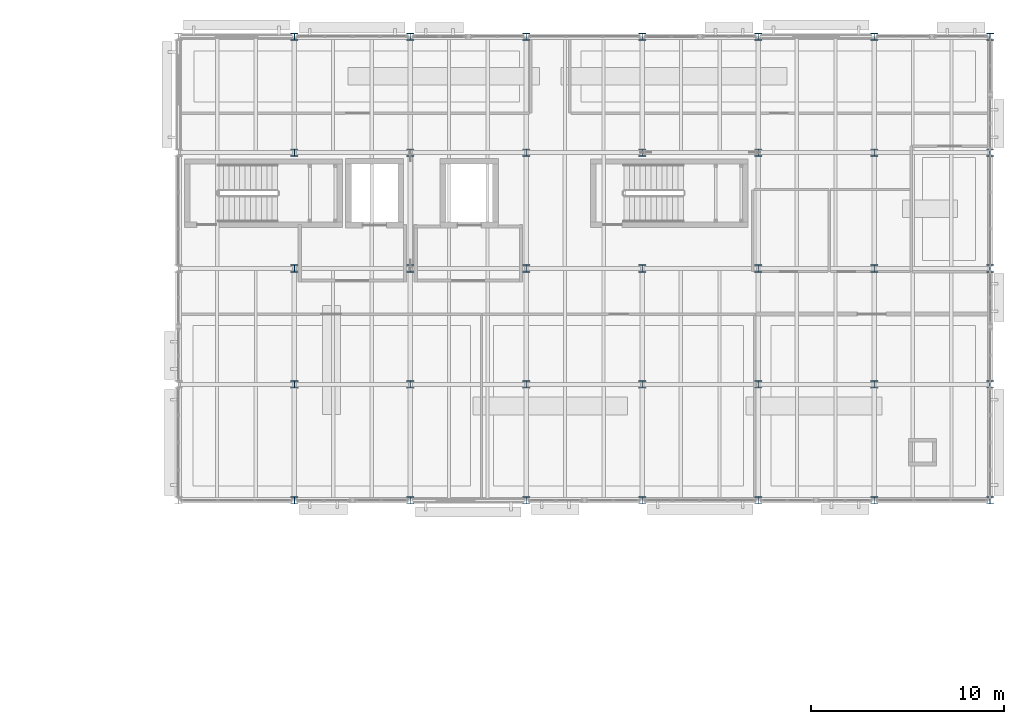
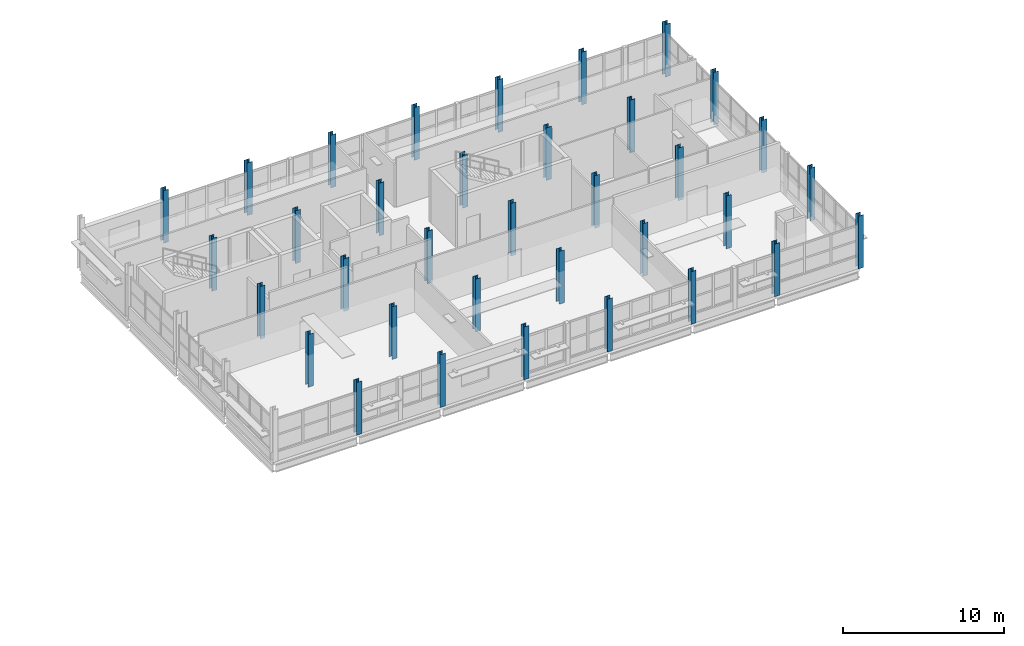
# One storey, part 15 of 92: 35 columns.
"""IFC4 building model written with IfcOpenShell, lengths in metres."""

from ifc_helpers import new_model, si_unit, direction, frame, origin, origin_2d, place, context, subcontext, project, spatial, i_section, extrude, material, material_profile, profile_set, type_object, element, save


model = new_model("IFC4")

# Units and contexts
model_context = context("Model", 3, precision=1e-05, world=origin(), true_north=direction((0.0, 1.0)))
body_context = subcontext(model_context, "Body", "Model", "MODEL_VIEW")
ifc_project = project(units=[si_unit("LENGTHUNIT", "METRE"), si_unit("AREAUNIT", "SQUARE_METRE"), si_unit("VOLUMEUNIT", "CUBIC_METRE"), si_unit("PLANEANGLEUNIT", "RADIAN"), si_unit("MASSUNIT", "GRAM", prefix="KILO")], contexts=[model_context])

# Site, building, storey
site_placement = place(None, origin())
site = spatial("IfcSite", under=ifc_project, at=site_placement, CompositionType="ELEMENT")
building_placement = place(site_placement, origin())
building = spatial("IfcBuilding", under=site, at=building_placement, Name="Siltcreek Boulevard Central Fire Station", CompositionType="ELEMENT")
storey_placement = place(building_placement, frame((0.0, 0.0, 6.0)))
storey = spatial("IfcBuildingStorey", under=building, at=storey_placement, Name="L02", CompositionType="ELEMENT", Elevation=6.0)

# Columns
ifc_material = material(Name="Structural steel ASTM A992 Gr50", Category="steel")
ifc_material_profile = material_profile(ifc_material, i_section(OverallWidth=0.37109375, OverallDepth=0.364013671875, WebThickness=0.01318359375, FlangeThickness=0.021728515625, at=origin_2d()), Name="W360X162")
ifc_profile_set = profile_set([ifc_material_profile], Name="Structural steel ASTM A992 Gr50")
column_type = type_object("IfcColumnType", Name="COL_W360X162", PredefinedType="COLUMN", material=ifc_profile_set)
for number, where, z_axis, x_axis, name in (
    (1, (130.199951171875, 88.199951171875, 0.0), (0.0, 0.0, 1.0), (1.0, 0.0, 0.0), "L02 structural column COLG-L02-1302-882"),
    (2, (130.199951171875, 94.199951171875, 0.0), (0.0, 0.0, 1.0), (1.0, 0.0, 0.0), "L02 structural column COLG-L02-1302-942"),
    (3, (130.199951171875, 100.199951171875, 0.0), (0.0, 0.0, 1.0), (1.0, 0.0, 0.0), "L02 structural column COLG-L02-1302-1002"),
    (4, (130.199951171875, 106.199951171875, 0.0), (0.0, 0.0, 1.0), (1.0, 0.0, 0.0), "L02 structural column COLG-L02-1302-1062"),
    (5, (130.199951171875, 112.199951171875, 0.0), (0.0, 0.0, 1.0), (1.0, 0.0, 0.0), "L02 structural column COLG-L02-1302-1122"),
    (6, (136.199951171875, 88.199951171875, 0.0), (0.0, 0.0, 1.0), (1.0, 0.0, 0.0), "L02 structural column COLG-L02-1362-882"),
    (7, (136.199951171875, 94.199951171875, 0.0), (0.0, 0.0, 1.0), (1.0, 0.0, 0.0), "L02 structural column COLG-L02-1362-942"),
    (8, (136.199951171875, 100.199951171875, 0.0), (0.0, 0.0, 1.0), (1.0, 0.0, 0.0), "L02 structural column COLG-L02-1362-1002"),
    (9, (136.199951171875, 106.199951171875, 0.0), (0.0, 0.0, 1.0), (1.0, 0.0, 0.0), "L02 structural column COLG-L02-1362-1062"),
    (10, (136.199951171875, 112.199951171875, 0.0), (0.0, 0.0, 1.0), (1.0, 0.0, 0.0), "L02 structural column COLG-L02-1362-1122"),
    (11, (142.199951171875, 88.199951171875, 0.0), (0.0, 0.0, 1.0), (1.0, 0.0, 0.0), "L02 structural column COLG-L02-1422-882"),
    (12, (142.199951171875, 94.199951171875, 0.0), (0.0, 0.0, 1.0), (1.0, 0.0, 0.0), "L02 structural column COLG-L02-1422-942"),
    (13, (142.199951171875, 100.199951171875, 0.0), (0.0, 0.0, 1.0), (1.0, 0.0, 0.0), "L02 structural column COLG-L02-1422-1002"),
    (14, (142.199951171875, 106.199951171875, 0.0), (0.0, 0.0, 1.0), (1.0, 0.0, 0.0), "L02 structural column COLG-L02-1422-1062"),
    (15, (142.199951171875, 112.199951171875, 0.0), (0.0, 0.0, 1.0), (1.0, 0.0, 0.0), "L02 structural column COLG-L02-1422-1122"),
    (16, (148.199951171875, 88.199951171875, 0.0), (0.0, 0.0, 1.0), (1.0, 0.0, 0.0), "L02 structural column COLG-L02-1482-882"),
    (17, (148.199951171875, 94.199951171875, 0.0), (0.0, 0.0, 1.0), (1.0, 0.0, 0.0), "L02 structural column COLG-L02-1482-942"),
    (18, (148.199951171875, 100.199951171875, 0.0), (0.0, 0.0, 1.0), (1.0, 0.0, 0.0), "L02 structural column COLG-L02-1482-1002"),
    (19, (148.199951171875, 106.199951171875, 0.0), (0.0, 0.0, 1.0), (1.0, 0.0, 0.0), "L02 structural column COLG-L02-1482-1062"),
    (20, (148.199951171875, 112.199951171875, 0.0), (0.0, 0.0, 1.0), (1.0, 0.0, 0.0), "L02 structural column COLG-L02-1482-1122"),
    (21, (154.199951171875, 88.199951171875, 0.0), (0.0, 0.0, 1.0), (1.0, 0.0, 0.0), "L02 structural column COLG-L02-1542-882"),
    (22, (154.199951171875, 94.199951171875, 0.0), (0.0, 0.0, 1.0), (1.0, 0.0, 0.0), "L02 structural column COLG-L02-1542-942"),
    (23, (154.199951171875, 100.199951171875, 0.0), (0.0, 0.0, 1.0), (1.0, 0.0, 0.0), "L02 structural column COLG-L02-1542-1002"),
    (24, (154.199951171875, 106.199951171875, 0.0), (0.0, 0.0, 1.0), (1.0, 0.0, 0.0), "L02 structural column COLG-L02-1542-1062"),
    (25, (154.199951171875, 112.199951171875, 0.0), (0.0, 0.0, 1.0), (1.0, 0.0, 0.0), "L02 structural column COLG-L02-1542-1122"),
    (26, (160.199951171875, 88.199951171875, 0.0), (0.0, 0.0, 1.0), (1.0, 0.0, 0.0), "L02 structural column COLG-L02-1602-882"),
    (27, (160.199951171875, 94.199951171875, 0.0), (0.0, 0.0, 1.0), (1.0, 0.0, 0.0), "L02 structural column COLG-L02-1602-942"),
    (28, (160.199951171875, 100.199951171875, 0.0), (0.0, 0.0, 1.0), (1.0, 0.0, 0.0), "L02 structural column COLG-L02-1602-1002"),
    (29, (160.199951171875, 106.199951171875, 0.0), (0.0, 0.0, 1.0), (1.0, 0.0, 0.0), "L02 structural column COLG-L02-1602-1062"),
    (30, (160.199951171875, 112.199951171875, 0.0), (0.0, 0.0, 1.0), (1.0, 0.0, 0.0), "L02 structural column COLG-L02-1602-1122"),
    (31, (166.199951171875, 88.199951171875, 0.0), (0.0, 0.0, 1.0), (1.0, 0.0, 0.0), "L02 structural column COLG-L02-1662-882"),
    (32, (166.199951171875, 94.199951171875, 0.0), (0.0, 0.0, 1.0), (1.0, 0.0, 0.0), "L02 structural column COLG-L02-1662-942"),
    (33, (166.199951171875, 100.199951171875, 0.0), (0.0, 0.0, 1.0), (1.0, 0.0, 0.0), "L02 structural column COLG-L02-1662-1002"),
    (34, (166.199951171875, 106.199951171875, 0.0), (0.0, 0.0, 1.0), (1.0, 0.0, 0.0), "L02 structural column COLG-L02-1662-1062"),
    (35, (166.199951171875, 112.199951171875, 0.0), (0.0, 0.0, 1.0), (1.0, 0.0, 0.0), "L02 structural column COLG-L02-1662-1122"),
):
    element("IfcColumn", number, at=place(storey_placement, frame(where, z_axis=z_axis, x_axis=x_axis)), inside=storey, type_object=column_type, Name=name, PredefinedType="COLUMN", context=body_context, shape_type="SweptSolid", body=[
        extrude(i_section(OverallWidth=0.37109375, OverallDepth=0.364013671875, WebThickness=0.01318359375, FlangeThickness=0.021728515625, at=origin_2d()), origin(), (0.0, 0.0, 1.0), 4.0),
    ])

save(model, "model.ifc")
